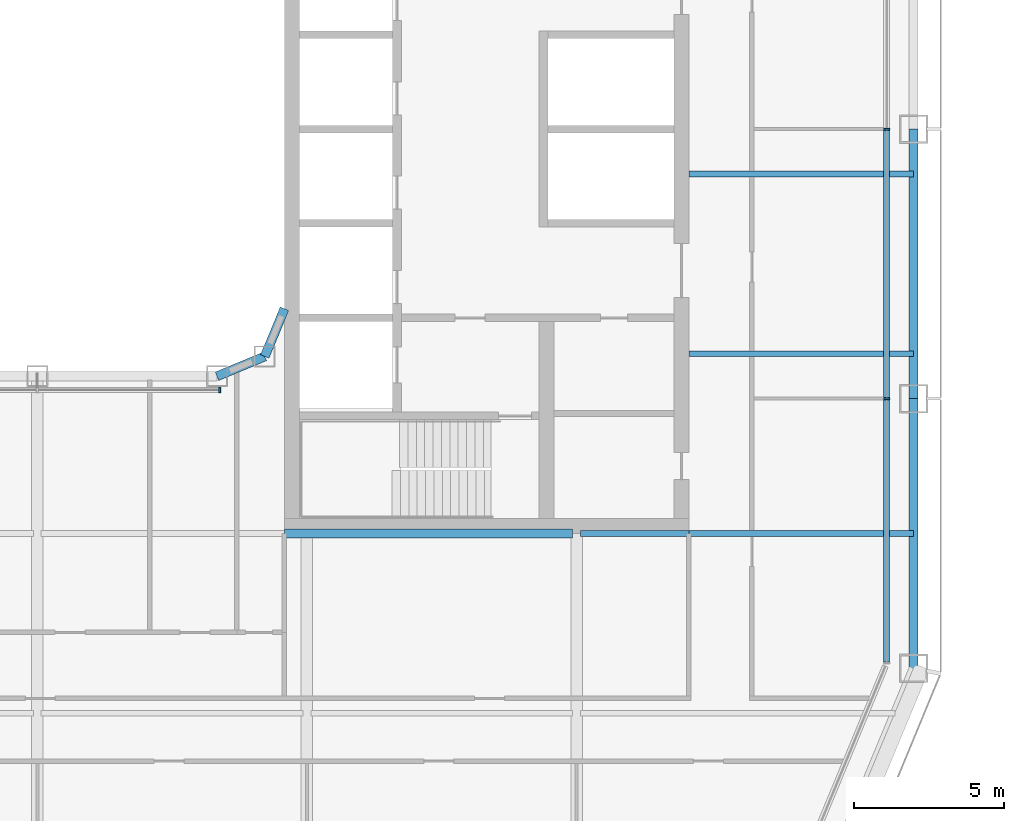
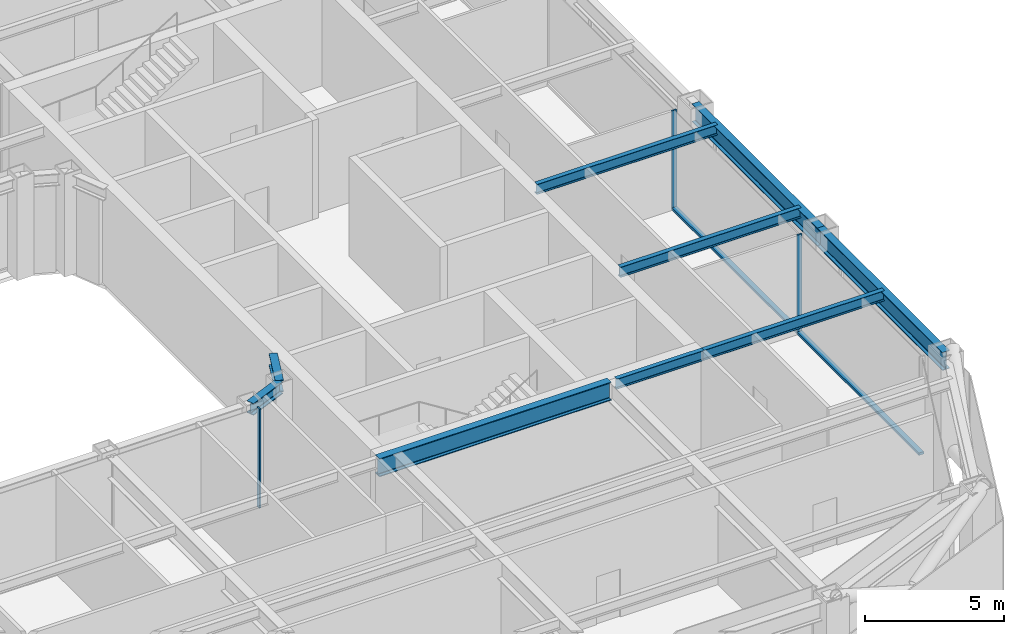
# One storey, part 5 of 23: 9 beams, 5 members, 2 elements without a shape of their own.
"""IFC4 building model written with IfcOpenShell, lengths in metres."""

import ifcopenshell
import ifcopenshell.guid

model = None  # the IFC model being written
_history = None  # IfcOwnerHistory: only IFC2X3 demands one
_inside = {}  # id of a spatial element -> (the spatial element, [elements in it])
_under = {}  # id of a project, library or spatial element -> (it, [spatial elements below it])
_declared = {}  # id of a project -> (the project, [libraries it declares])
_typed = {}  # id of a type object -> (the type object, [elements of that type])
_made_of = {}  # id of a material, layer set ... -> (it, [elements and type objects made of it])


def new_model(schema):
    """Start an empty IFC model of exactly this schema.

    Asked for "IFC4X3", IfcOpenShell would pick the latest addendum, in which some entities
    have other attributes; the version numbers below select the first issue.
    IFC2X3 requires an IfcOwnerHistory on every rooted entity: one is made here for all.
    """
    global model, _history
    if schema == "IFC4X3":
        model = ifcopenshell.file(schema_version=(4, 3, 0, 0))
    else:
        model = ifcopenshell.file(schema=schema)
    _inside.clear()
    _under.clear()
    _declared.clear()
    _typed.clear()
    _made_of.clear()
    _history = None
    if model.schema == "IFC2X3":
        org = make("IfcOrganization", Name="unknown")
        user = make(
            "IfcPersonAndOrganization",
            ThePerson=make("IfcPerson", FamilyName="unknown"),
            TheOrganization=org,
        )
        app = make(
            "IfcApplication",
            ApplicationDeveloper=org,
            Version="unknown",
            ApplicationFullName="unknown",
            ApplicationIdentifier="unknown",
        )
        _history = make(
            "IfcOwnerHistory",
            OwningUser=user,
            OwningApplication=app,
            ChangeAction="ADDED",
            CreationDate=0,
        )
    return model


def make(cls, **values):
    """One entity of the class cls with the attributes given. An attribute that is None is left unset."""
    return model.create_entity(
        cls, **{name: value for name, value in values.items() if value is not None}
    )


def rooted(cls, **values):
    """An entity with a GlobalId (a new one), such as an element, a storey or a relation."""
    return make(cls, GlobalId=ifcopenshell.guid.new(), OwnerHistory=_history, **values)


def si_unit(unit_type, name, prefix=None):
    """IfcSIUnit, for example si_unit("LENGTHUNIT", "METRE", prefix="MILLI")."""
    return make("IfcSIUnit", UnitType=unit_type, Prefix=prefix, Name=name)


def assignment(units):
    """IfcUnitAssignment: the units of a project."""
    return None if units is None else make("IfcUnitAssignment", Units=units)


def point(xyz):
    """IfcCartesianPoint."""
    return None if xyz is None else make("IfcCartesianPoint", Coordinates=xyz)


def direction(xyz):
    """IfcDirection."""
    return None if xyz is None else make("IfcDirection", DirectionRatios=xyz)


def frame(location, z_axis=None, x_axis=None):
    """IfcAxis2Placement3D, a coordinate frame: its origin and axes. An axis left out is left unset."""
    return make(
        "IfcAxis2Placement3D",
        Location=point(location),
        Axis=direction(z_axis),
        RefDirection=direction(x_axis),
    )


def frame_2d(location, x_axis=None):
    """IfcAxis2Placement2D, a coordinate frame in the plane: its origin and x axis."""
    return make(
        "IfcAxis2Placement2D", Location=point(location), RefDirection=direction(x_axis)
    )


def origin():
    """The frame at (0, 0, 0) with its axes left unset."""
    return frame((0.0, 0.0, 0.0))


def origin_2d():
    """The frame at (0, 0) in the plane with its x axis left unset."""
    return frame_2d((0.0, 0.0))


def place(relative_to, where):
    """IfcLocalPlacement: puts the frame where relative to a parent placement (None: the world)."""
    return make(
        "IfcLocalPlacement", PlacementRelTo=relative_to, RelativePlacement=where
    )


def context(
    kind, dimensions, precision=None, world=None, true_north=None, identifier=None
):
    """IfcGeometricRepresentationContext, for example the 3D "Model" context."""
    return make(
        "IfcGeometricRepresentationContext",
        ContextIdentifier=identifier,
        ContextType=kind,
        CoordinateSpaceDimension=dimensions,
        Precision=precision,
        WorldCoordinateSystem=world,
        TrueNorth=true_north,
    )


def subcontext(parent, identifier, kind, view, scale=None):
    """IfcGeometricRepresentationSubContext, for example "Body" below "Model"."""
    return make(
        "IfcGeometricRepresentationSubContext",
        ContextIdentifier=identifier,
        ContextType=kind,
        ParentContext=parent,
        TargetScale=scale,
        TargetView=view,
    )


def project(units=None, contexts=None):
    """IfcProject with its units and contexts."""
    return rooted(
        "IfcProject",
        Name="project",
        RepresentationContexts=contexts,
        UnitsInContext=assignment(units),
    )


def spatial(cls, under=None, at=None, **own):
    """A site, building, storey or space (cls), placed at a placement, below another one or the project."""
    s = rooted(cls, ObjectPlacement=at, **own)
    if under is not None:
        _under.setdefault(under.id(), (under, []))[1].append(s)
    return s


def profile(cls, at=None, kind="AREA", **sizes):
    """A parametric profile (cls). Its sizes go by their IFC names, for example OverallWidth=200.0."""
    return make(cls, ProfileType=kind, Position=at, **sizes)


def rectangle(**sizes):
    """IfcRectangleProfileDef."""
    return profile("IfcRectangleProfileDef", **sizes)


def i_section(**sizes):
    """IfcIShapeProfileDef."""
    return profile("IfcIShapeProfileDef", **sizes)


def extrude(swept, where, along, depth):
    """IfcExtrudedAreaSolid: the profile swept, set in the frame where, extruded along a direction by depth."""
    return make(
        "IfcExtrudedAreaSolid",
        SweptArea=swept,
        Position=where,
        ExtrudedDirection=direction(along),
        Depth=depth,
    )


def shape(context_of_items, identifier, shape_type, items):
    """IfcShapeRepresentation: the items that make up one representation, for example the "Body"."""
    return make(
        "IfcShapeRepresentation",
        ContextOfItems=context_of_items,
        RepresentationIdentifier=identifier,
        RepresentationType=shape_type,
        Items=items,
    )


def material(Name=None, Category=None):
    """IfcMaterial."""
    return make("IfcMaterial", Name=Name, Category=Category)


def layer(
    of_material, thickness, ventilated=None, Name=None, Category=None, Priority=None
):
    """IfcMaterialLayer: one layer of a wall or slab, of a material (None: an air gap)."""
    return make(
        "IfcMaterialLayer",
        Material=of_material,
        LayerThickness=thickness,
        IsVentilated=ventilated,
        Name=Name,
        Category=Category,
        Priority=Priority,
    )


def layer_set(layers, Name=None):
    """IfcMaterialLayerSet."""
    return make("IfcMaterialLayerSet", MaterialLayers=layers, LayerSetName=Name)


def material_profile(
    of_material, cross_section, Name=None, Category=None, Priority=None
):
    """IfcMaterialProfile: a cross section and its material."""
    return make(
        "IfcMaterialProfile",
        Name=Name,
        Material=of_material,
        Profile=cross_section,
        Priority=Priority,
        Category=Category,
    )


def profile_set(profiles, Name=None, composite=None):
    """IfcMaterialProfileSet."""
    return make(
        "IfcMaterialProfileSet",
        Name=Name,
        MaterialProfiles=profiles,
        CompositeProfile=composite,
    )


def made_of(thing, what):
    """Note that an element or type object is made of a material, layer set ...; save() writes the relation."""
    if what is not None:
        _made_of.setdefault(what.id(), (what, []))[1].append(thing)
    return thing


def type_object(cls, material=None, **own):
    """A type object (cls), such as IfcWallType, which elements share."""
    return made_of(rooted(cls, **own), material)


def element(
    cls,
    number,
    at=None,
    inside=None,
    cuts=None,
    type_object=None,
    material=None,
    context=None,
    identifier="Body",
    shape_type=None,
    held_by="IfcProductDefinitionShape",
    body=None,
    shapes=None,
    **own,
):
    """One element of the class cls, such as IfcWall. Its Tag is "e" and its number.

    at: its placement. inside: the storey or other place that contains it. cuts: it is an
    opening in that element (IfcRelVoidsElement). A single representation is given by context,
    identifier, shape_type and body (its items); several are given by shapes. held_by: the class
    of the entity that holds the representations. save() writes the other relations.
    """
    e = rooted(cls, Tag="e%d" % number, ObjectPlacement=at, **own)
    if body is not None:
        shapes = [shape(context, identifier, shape_type, body)]
    if shapes is not None:
        e.Representation = make(held_by, Representations=shapes)
    if inside is not None:
        _inside.setdefault(inside.id(), (inside, []))[1].append(e)
    if cuts is not None:
        rooted(
            "IfcRelVoidsElement", RelatingBuildingElement=cuts, RelatedOpeningElement=e
        )
    if type_object is not None:
        _typed.setdefault(type_object.id(), (type_object, []))[1].append(e)
    return made_of(e, material)


def aggregate(whole, parts):
    """IfcRelAggregates: a whole, such as a stair, and the parts it consists of."""
    return rooted("IfcRelAggregates", RelatingObject=whole, RelatedObjects=parts)


def save(model, path):
    """Write the relations noted so far, then the file.

    IfcRelAggregates (storeys below a building ...), IfcRelContainedInSpatialStructure (elements
    in a storey), IfcRelDefinesByType, IfcRelAssociatesMaterial and IfcRelDeclares: one each for
    every whole, place, type object, material and project.
    """
    for whole, parts in _under.values():
        aggregate(whole, parts)
    for where, things in _inside.values():
        rooted(
            "IfcRelContainedInSpatialStructure",
            RelatedElements=things,
            RelatingStructure=where,
        )
    for kind, things in _typed.values():
        rooted("IfcRelDefinesByType", RelatedObjects=things, RelatingType=kind)
    for what, things in _made_of.values():
        rooted("IfcRelAssociatesMaterial", RelatedObjects=things, RelatingMaterial=what)
    for by, libraries in _declared.values():
        rooted("IfcRelDeclares", RelatingContext=by, RelatedDefinitions=libraries)
    model.write(path)


model = new_model("IFC4")

# Units and contexts
model_context = context("Model", 3, precision=1e-05, world=origin(), true_north=direction((0.0, 1.0)))
body_context = subcontext(model_context, "Body", "Model", "MODEL_VIEW")
ifc_project = project(units=[si_unit("LENGTHUNIT", "METRE"), si_unit("AREAUNIT", "SQUARE_METRE"), si_unit("VOLUMEUNIT", "CUBIC_METRE"), si_unit("PLANEANGLEUNIT", "RADIAN"), si_unit("MASSUNIT", "GRAM", prefix="KILO")], contexts=[model_context])

# Site, building, storey
site_placement = place(None, origin())
site = spatial("IfcSite", under=ifc_project, at=site_placement, CompositionType="ELEMENT")
building_placement = place(site_placement, origin())
building = spatial("IfcBuilding", under=site, at=building_placement, Name="Siwar Civic Tower", CompositionType="ELEMENT")
storey_placement = place(building_placement, frame((0.0, 0.0, 131.699951171875)))
storey = spatial("IfcBuildingStorey", under=building, at=storey_placement, Name="L28", CompositionType="ELEMENT", Elevation=131.699951171875)

# Curtain wall, members
ifc_material_1 = material(Name="Aluminium and glass", Category="aluminium")
ifc_layer_1 = layer(ifc_material_1, 0.199951171875)
ifc_layer_set_1 = layer_set([ifc_layer_1], Name="Aluminium and glass")
curtain_wall_type_1 = type_object("IfcCurtainWallType", Name="ENV-CW-B", PredefinedType="NOTDEFINED", material=ifc_layer_set_1)
curtain_wall_1_placement = place(storey_placement, origin())
curtain_wall_1 = element("IfcCurtainWall", 1, at=curtain_wall_1_placement, inside=storey, type_object=curtain_wall_type_1, Name="Curtain wall B E", PredefinedType="NOTDEFINED")
ifc_material_2 = material(Name="Aluminium 6063-T6", Category="aluminium")
ifc_material_profile_1 = material_profile(ifc_material_2, rectangle(XDim=0.199951171875, YDim=0.06494140625, at=origin_2d()), Name="AL 200x65")
ifc_profile_set_1 = profile_set([ifc_material_profile_1], Name="Aluminium 6063-T6")
member_type_1 = type_object("IfcMemberType", Name="ENV-MULLION-B", PredefinedType="MULLION", material=ifc_profile_set_1)
member_1_placement = place(storey_placement, frame((28.35009765625, -9.0, 0.0), z_axis=(0.0, 0.0, 1.0), x_axis=(-1.0, 0.0, 0.0)))
member_1 = element("IfcMember", 2, at=member_1_placement, type_object=member_type_1, Name="Mullion B E 2", PredefinedType="MULLION", context=body_context, shape_type="SweptSolid", body=[
    extrude(rectangle(XDim=0.199951171875, YDim=0.06494140625, at=origin_2d()), origin(), (0.0, 0.0, 1.0), 4.35009765625),
])
member_2_placement = place(storey_placement, frame((28.35009765625, 0.0, 0.0), z_axis=(0.0, 0.0, 1.0), x_axis=(-1.0, 0.0, 0.0)))
member_2 = element("IfcMember", 3, at=member_2_placement, type_object=member_type_1, Name="Mullion B E 3", PredefinedType="MULLION", context=body_context, shape_type="SweptSolid", body=[
    extrude(rectangle(XDim=0.199951171875, YDim=0.06494140625, at=origin_2d()), origin(), (0.0, 0.0, 1.0), 4.35009765625),
])

# Curtain wall, member
ifc_material_3 = material(Name="Aluminium and glass", Category="aluminium")
ifc_layer_2 = layer(ifc_material_3, 0.179931640625)
ifc_layer_set_2 = layer_set([ifc_layer_2], Name="Aluminium and glass")
curtain_wall_type_2 = type_object("IfcCurtainWallType", Name="ENV-CW-W", PredefinedType="NOTDEFINED", material=ifc_layer_set_2)
curtain_wall_2_placement = place(storey_placement, origin())
curtain_wall_2 = element("IfcCurtainWall", 4, at=curtain_wall_2_placement, inside=storey, type_object=curtain_wall_type_2, Name="Curtain wall W WS", PredefinedType="NOTDEFINED")
ifc_material_4 = material(Name="Aluminium 6063-T6", Category="aluminium")
ifc_material_profile_2 = material_profile(ifc_material_4, rectangle(XDim=0.179931640625, YDim=0.06005859375, at=origin_2d()), Name="AL 180x60")
ifc_profile_set_2 = profile_set([ifc_material_profile_2], Name="Aluminium 6063-T6")
member_type_2 = type_object("IfcMemberType", Name="ENV-MULLION-W", PredefinedType="MULLION", material=ifc_profile_set_2)
member_3_placement = place(storey_placement, frame((6.091552734375, -8.7099609375, 0.0), z_axis=(0.0, 0.0, 1.0), x_axis=(0.0, 1.0, 0.0)))
member_3 = element("IfcMember", 5, at=member_3_placement, type_object=member_type_2, Name="Mullion W WS 3", PredefinedType="MULLION", context=body_context, shape_type="SweptSolid", body=[
    extrude(rectangle(XDim=0.179931640625, YDim=0.06005859375, at=origin_2d()), origin(), (0.0, 0.0, 1.0), 4.35009765625),
])
aggregate(curtain_wall_2, [member_3])

# Member
ifc_material_5 = material(Name="Aluminium 6063-T6", Category="aluminium")
ifc_material_profile_3 = material_profile(ifc_material_5, rectangle(XDim=0.199951171875, YDim=0.110107421875, at=origin_2d()), Name="AL 200x110")
ifc_profile_set_3 = profile_set([ifc_material_profile_3], Name="Aluminium 6063-T6")
member_type_3 = type_object("IfcMemberType", Name="ENV-TRANSOM-B", PredefinedType="USERDEFINED", material=ifc_profile_set_3)
member_4_placement = place(storey_placement, frame((28.35009765625, -17.78857421875, 0.054931640625), z_axis=(0.0, 1.0, 0.0), x_axis=(-1.0, 0.0, 0.0)))
member_4 = element("IfcMember", 6, at=member_4_placement, type_object=member_type_3, Name="Transom B E 1", ObjectType="TRANSOM", PredefinedType="USERDEFINED", context=body_context, shape_type="SweptSolid", body=[
    extrude(rectangle(XDim=0.199951171875, YDim=0.110107421875, at=origin_2d()), origin(), (0.0, 0.0, 1.0), 8.756103515625),
])

member_5_placement = place(storey_placement, frame((28.35009765625, -8.967529296875, 0.054931640625), z_axis=(0.0, 1.0, 0.0), x_axis=(-1.0, 0.0, 0.0)))
member_5 = element("IfcMember", 7, at=member_5_placement, type_object=member_type_3, Name="Transom B E 2", ObjectType="TRANSOM", PredefinedType="USERDEFINED", context=body_context, shape_type="SweptSolid", body=[
    extrude(rectangle(XDim=0.199951171875, YDim=0.110107421875, at=origin_2d()), origin(), (0.0, 0.0, 1.0), 8.93505859375),
])

aggregate(curtain_wall_1, [member_1, member_2, member_4, member_5])

# Beams
ifc_material_6 = material(Name="Steel S355", Category="steel")
ifc_material_profile_4 = material_profile(ifc_material_6, i_section(OverallWidth=0.18994140625, OverallDepth=0.449951171875, WebThickness=0.009521484375, FlangeThickness=0.0146484375, FilletRadius=0.02099609375, at=origin_2d()), Name="IPE450")
ifc_profile_set_4 = profile_set([ifc_material_profile_4], Name="Steel S355")
beam_type_1 = type_object("IfcBeamType", Name="STR-FB-IPE450", PredefinedType="JOIST", material=ifc_profile_set_4)
beam_1_placement = place(storey_placement, frame((18.1298828125, -13.5, 4.125), z_axis=(1.0, 0.0, 0.0), x_axis=(0.0, 1.0, 0.0)))
element("IfcBeam", 8, at=beam_1_placement, inside=storey, type_object=beam_type_1, Name="L28/bm/F019", PredefinedType="JOIST", context=body_context, shape_type="SweptSolid", body=[
    extrude(i_section(OverallWidth=0.18994140625, OverallDepth=0.449951171875, WebThickness=0.009521484375, FlangeThickness=0.0146484375, FilletRadius=0.02099609375, at=origin_2d()), origin(), (0.0, 0.0, 1.0), 3.6201171875),
])
for number, where, z_axis, x_axis, name in (
    (9, (21.75, -13.5, 4.125), (1.0, 0.0, 0.0), (0.0, 1.0, 0.0), "L28/bm/F020"),
    (10, (21.75, -7.5, 4.125), (1.0, 0.0, 0.0), (0.0, 1.0, 0.0), "L28/bm/F022"),
    (11, (21.75, -1.5, 4.125), (1.0, 0.0, 0.0), (0.0, 1.0, 0.0), "L28/bm/F024"),
):
    element("IfcBeam", number, at=place(storey_placement, frame(where, z_axis=z_axis, x_axis=x_axis)), inside=storey, type_object=beam_type_1, Name=name, PredefinedType="JOIST", context=body_context, shape_type="SweptSolid", body=[
        extrude(i_section(OverallWidth=0.18994140625, OverallDepth=0.449951171875, WebThickness=0.009521484375, FlangeThickness=0.0146484375, FilletRadius=0.02099609375, at=origin_2d()), origin(), (0.0, 0.0, 1.0), 7.5),
    ])
ifc_material_7 = material(Name="Steel S355", Category="steel")
ifc_material_profile_5 = material_profile(ifc_material_7, i_section(OverallWidth=0.300048828125, OverallDepth=0.800048828125, WebThickness=0.017578125, FlangeThickness=0.032958984375, FilletRadius=0.030029296875, at=origin_2d()), Name="HEB800")
ifc_profile_set_5 = profile_set([ifc_material_profile_5], Name="Steel S355")
beam_type_2 = type_object("IfcBeamType", Name="STR-PG-HEB800", PredefinedType="BEAM", material=ifc_profile_set_5)
beam_2_placement = place(storey_placement, frame((8.25, -13.5, 3.949951171875), z_axis=(1.0, 0.0, 0.0), x_axis=(0.0, 1.0, 0.0)))
element("IfcBeam", 12, at=beam_2_placement, inside=storey, type_object=beam_type_2, Name="L28/bm/F018", PredefinedType="BEAM", context=body_context, shape_type="SweptSolid", body=[
    extrude(i_section(OverallWidth=0.300048828125, OverallDepth=0.800048828125, WebThickness=0.017578125, FlangeThickness=0.032958984375, FilletRadius=0.030029296875, at=origin_2d()), origin(), (0.0, 0.0, 1.0), 9.6201171875),
])
ifc_material_8 = material(Name="Steel S355", Category="steel")
ifc_material_profile_6 = material_profile(ifc_material_8, i_section(OverallWidth=0.305908203125, OverallDepth=0.52392578125, WebThickness=0.02099609375, FlangeThickness=0.0400390625, FilletRadius=0.027099609375, at=origin_2d()), Name="HEM500")
ifc_profile_set_6 = profile_set([ifc_material_profile_6], Name="Steel S355")
beam_type_3 = type_object("IfcBeamType", Name="STR-RB-HEM500", PredefinedType="BEAM", material=ifc_profile_set_6)
for number, where, z_axis, x_axis, name in (
    (13, (6.0, -8.25, 4.088134765625), (0.923901072997, 0.382631424892, 0.0), (-0.382631424892, 0.923901072997, 0.0), "L28/bm/RS3"),
    (14, (7.591064453125, -7.591064453125, 4.088134765625), (0.382631424892, 0.923901072997, 0.0), (-0.923901072997, 0.382631424892, 0.0), "L28/bm/RSEE"),
):
    element("IfcBeam", number, at=place(storey_placement, frame(where, z_axis=z_axis, x_axis=x_axis)), inside=storey, type_object=beam_type_3, Name=name, PredefinedType="BEAM", context=body_context, shape_type="SweptSolid", body=[
        extrude(i_section(OverallWidth=0.305908203125, OverallDepth=0.52392578125, WebThickness=0.02099609375, FlangeThickness=0.0400390625, FilletRadius=0.027099609375, at=origin_2d()), origin(), (0.0, 0.0, 1.0), 1.72216796875),
    ])
ifc_material_9 = material(Name="Steel S355", Category="steel")
ifc_material_profile_7 = material_profile(ifc_material_9, i_section(OverallWidth=0.300048828125, OverallDepth=0.800048828125, WebThickness=0.017578125, FlangeThickness=0.032958984375, FilletRadius=0.030029296875, at=origin_2d()), Name="HEB800")
ifc_profile_set_7 = profile_set([ifc_material_profile_7], Name="Steel S355")
beam_type_4 = type_object("IfcBeamType", Name="STR-SB-HEB800", PredefinedType="BEAM", material=ifc_profile_set_7)
for number, where, z_axis, x_axis, name in (
    (15, (29.25, -18.0, 3.949951171875), (0.0, 1.0, 0.0), (-1.0, 0.0, 0.0), "L28/bm/SE-0"),
    (16, (29.25, -9.0, 3.949951171875), (0.0, 1.0, 0.0), (-1.0, 0.0, 0.0), "L28/bm/SE-1"),
):
    element("IfcBeam", number, at=place(storey_placement, frame(where, z_axis=z_axis, x_axis=x_axis)), inside=storey, type_object=beam_type_4, Name=name, PredefinedType="BEAM", context=body_context, shape_type="SweptSolid", body=[
        extrude(i_section(OverallWidth=0.300048828125, OverallDepth=0.800048828125, WebThickness=0.017578125, FlangeThickness=0.032958984375, FilletRadius=0.030029296875, at=origin_2d()), origin(), (0.0, 0.0, 1.0), 9.0),
    ])

save(model, "model.ifc")
